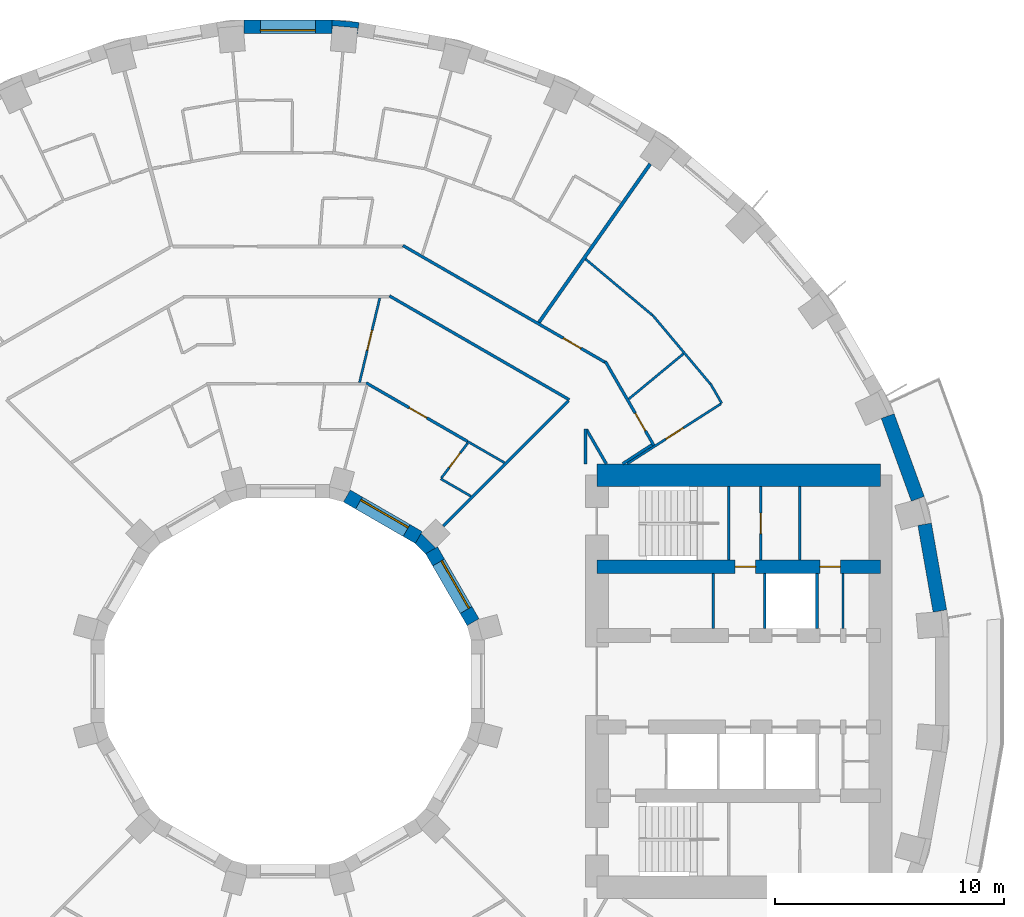
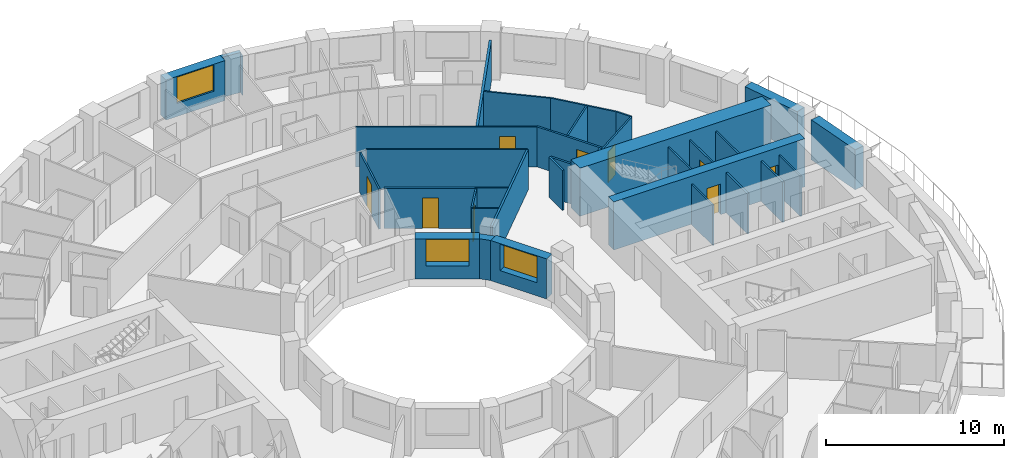
# One storey, part 11 of 14: 34 walls, 9 doors, 3 windows, 12 openings.
"""IFC4 building model written with IfcOpenShell, lengths in metres."""

from ifc_helpers import new_model, si_unit, direction, frame, frame_2d, origin, place, context, subcontext, project, spatial, polyline, rectangle, outline, extrude, material, layer, layer_set, type_object, element, fill, save


model = new_model("IFC4")

# Units and contexts
model_context = context("Model", 3, precision=1e-05, world=origin(), true_north=direction((0.0, 1.0)))
body_context = subcontext(model_context, "Body", "Model", "MODEL_VIEW")
ifc_project = project(units=[si_unit("LENGTHUNIT", "METRE"), si_unit("AREAUNIT", "SQUARE_METRE"), si_unit("VOLUMEUNIT", "CUBIC_METRE"), si_unit("PLANEANGLEUNIT", "RADIAN"), si_unit("MASSUNIT", "GRAM", prefix="KILO")], contexts=[model_context])

# Site, building, storey
site_placement = place(None, origin())
site = spatial("IfcSite", under=ifc_project, at=site_placement, CompositionType="ELEMENT")
building_placement = place(site_placement, origin())
building = spatial("IfcBuilding", under=site, at=building_placement, Name="Saqina Gate Tower", CompositionType="ELEMENT")
storey_placement = place(building_placement, frame((0.0, 0.0, 52.699951171875)))
storey = spatial("IfcBuildingStorey", under=building, at=storey_placement, Name="L14", CompositionType="ELEMENT", Elevation=52.699951171875)

# Walls
ifc_material_1 = material(Name="Brick masonry (red)", Category="masonry")
wall_type_1 = type_object("IfcWallType", Name="BRICK PIER COPING RED", PredefinedType="SOLIDWALL", material=ifc_material_1)
wall_1_placement = place(storey_placement, origin())
element("IfcWall", 1, at=wall_1_placement, inside=storey, type_object=wall_type_1, Name="Pier cap L14 column 9", PredefinedType="SOLIDWALL", context=body_context, shape_type="SweptSolid", body=[
    extrude(outline(polyline([(3.122802734375, 28.78466796875), (1.9228515625, 28.8896484375), (1.9228515625, 28.28955078125), (1.95361328125, 28.638671875), (3.04931640625, 28.54296875), (3.018798828125, 28.19384765625), (3.122802734375, 28.78466796875)])), origin(), (0.0, 0.0, 1.0), 2.75),
])
ifc_material_2 = material(Name="Gypsum board on steel studs", Category="steel")
ifc_layer_1 = layer(ifc_material_2, 0.10009765625)
ifc_layer_set_1 = layer_set([ifc_layer_1], Name="CORE PARTITION")
wall_type_2 = type_object("IfcWallType", Name="CORE PARTITION", PredefinedType="PARTITIONING", material=ifc_layer_set_1)
for number, where, z_axis, x_axis, name in (
    (2, (18.582763671875, 2.300048828125, 0.0), (0.0, 0.0, 1.0), (0.0, 1.0, 0.0), "L14-CP-E01"),
    (3, (24.260009765625, 2.300048828125, 0.0), (0.0, 0.0, 1.0), (0.0, 1.0, 0.0), "L14-CP-E04"),
):
    element("IfcWall", number, at=place(storey_placement, frame(where, z_axis=z_axis, x_axis=x_axis)), inside=storey, type_object=wall_type_2, Name=name, PredefinedType="PARTITIONING", context=body_context, shape_type="SweptSolid", body=[
        extrude(rectangle(XDim=2.39990234375, YDim=0.10009765625, at=frame_2d((1.199951171875, 0.0))), origin(), (0.0, 0.0, 1.0), 2.75),
    ])

# Wall, opening, door
wall_2_placement = place(storey_placement, frame((20.65771484375, 5.300048828125, 0.0), z_axis=(0.0, 0.0, 1.0), x_axis=(0.0, 1.0, 0.0)))
wall_2 = element("IfcWall", 4, at=wall_2_placement, inside=storey, type_object=wall_type_2, Name="L14-CP-E12", PredefinedType="PARTITIONING", context=body_context, shape_type="SweptSolid", body=[
    extrude(rectangle(XDim=3.199951171875, YDim=0.10009765625, at=frame_2d((1.60009765625, 0.0))), origin(), (0.0, 0.0, 1.0), 2.75),
])
opening_1_placement = place(wall_2_placement, frame((1.14990234375, 0.0, 0.0)))
opening_1 = element("IfcOpeningElement", 5, at=opening_1_placement, cuts=wall_2, Name="Opening G03-D97", PredefinedType="OPENING", context=body_context, shape_type="SweptSolid", body=[
    extrude(rectangle(XDim=0.89990234375, YDim=2.10009765625, at=frame_2d((0.449951171875, 1.050048828125))), frame((0.0, 0.06201171875, 0.0), z_axis=(0.0, -1.0, 0.0), x_axis=(1.0, 0.0, 0.0)), (0.0, 0.0, 1.0), 0.1240234375),
])
ifc_material_3 = material(Name="Steel-framed fire door leaf, EI 60", Category="steel")
door_type_1 = type_object("IfcDoorType", Name="SERVICE ROOM DOOR 900", OperationType="SINGLE_SWING_LEFT", PredefinedType="DOOR", material=ifc_material_3)
door_1_placement = place(opening_1_placement, frame((0.89990234375, 0.0, 0.0), z_axis=(0.0, 0.0, 1.0), x_axis=(-1.0, 0.0, 0.0)))
door_1 = element("IfcDoor", 6, at=door_1_placement, inside=storey, type_object=door_type_1, Name="L14-CD-E08", OperationType="SINGLE_SWING_RIGHT", OverallHeight=2.10009765625, OverallWidth=0.89990234375, PredefinedType="DOOR", context=body_context, shape_type="SweptSolid", body=[
    extrude(rectangle(XDim=0.89990234375, YDim=2.10009765625, at=frame_2d((0.449951171875, 1.050048828125))), frame((0.0, 0.02490234375, 0.0), z_axis=(0.0, -1.0, 0.0), x_axis=(1.0, 0.0, 0.0)), (0.0, 0.0, 1.0), 0.050048828125),
])
fill(opening_1, door_1)

# Wall
wall_3_placement = place(storey_placement, frame((22.360107421875, 5.300048828125, 0.0), z_axis=(0.0, 0.0, 1.0), x_axis=(0.0, 1.0, 0.0)))
element("IfcWall", 7, at=wall_3_placement, inside=storey, type_object=wall_type_2, Name="L14-CP-E13", PredefinedType="PARTITIONING", context=body_context, shape_type="SweptSolid", body=[
    extrude(rectangle(XDim=3.199951171875, YDim=0.10009765625, at=frame_2d((1.60009765625, 0.0))), origin(), (0.0, 0.0, 1.0), 2.75),
])

# Wall, opening, window
ifc_material_4 = material(Name="Brick masonry (red)", Category="masonry")
ifc_layer_2 = layer(ifc_material_4, 0.60009765625)
ifc_layer_set_2 = layer_set([ifc_layer_2], Name="FW-BRICK-RED")
wall_type_3 = type_object("IfcWallType", Name="FW-BRICK-RED", PredefinedType="SOLIDWALL", material=ifc_layer_set_2)
wall_4_placement = place(storey_placement, frame((1.9228515625, 28.589599609375, 0.0), z_axis=(0.0, 0.0, 1.0), x_axis=(-1.0, 0.0, 0.0)))
wall_4 = element("IfcWall", 8, at=wall_4_placement, inside=storey, type_object=wall_type_3, Name="Facade wall L14 facet 9", PredefinedType="SOLIDWALL", context=body_context, shape_type="SweptSolid", body=[
    extrude(rectangle(XDim=3.845703125, YDim=0.60009765625, at=frame_2d((1.9228515625, 0.0))), origin(), (0.0, 0.0, 1.0), 2.75),
])
opening_2_placement = place(wall_4_placement, frame((0.722900390625, 0.0, 0.89990234375)))
opening_2 = element("IfcOpeningElement", 9, at=opening_2_placement, cuts=wall_4, Name="Opening G03-W07", PredefinedType="OPENING", context=body_context, shape_type="SweptSolid", body=[
    extrude(rectangle(XDim=2.39990234375, YDim=1.800048828125, at=frame_2d((1.199951171875, 0.89990234375))), frame((0.0, 0.31201171875, 0.0), z_axis=(0.0, -1.0, 0.0), x_axis=(1.0, 0.0, 0.0)), (0.0, 0.0, 1.0), 0.6240234375),
])
ifc_material_5 = material(Name="Aluminium glazing", Category="aluminium")
window_type_1 = type_object("IfcWindowType", Name="WN-A", PartitioningType="SINGLE_PANEL", PredefinedType="WINDOW", material=ifc_material_5)
window_1_placement = place(opening_2_placement, origin())
window_1 = element("IfcWindow", 10, at=window_1_placement, inside=storey, type_object=window_type_1, Name="Window L14 facet 9", OverallHeight=1.800048828125, OverallWidth=2.39990234375, PartitioningType="SINGLE_PANEL", PredefinedType="WINDOW", context=body_context, shape_type="SweptSolid", body=[
    extrude(rectangle(XDim=2.39990234375, YDim=1.800048828125, at=frame_2d((1.199951171875, 0.89990234375))), frame((0.0, 0.179931640625, 0.0), z_axis=(0.0, -1.0, 0.0), x_axis=(1.0, 0.0, 0.0)), (0.0, 0.0, 1.0), 0.06005859375),
])
fill(opening_2, window_1)

# Walls
ifc_material_6 = material(Name="Glazed ceramic tile", Category="ceramic")
ifc_layer_3 = layer(ifc_material_6, 0.60009765625)
ifc_layer_set_3 = layer_set([ifc_layer_3], Name="FW-TILE")
wall_type_4 = type_object("IfcWallType", Name="FW-TILE", PredefinedType="SOLIDWALL", material=ifc_layer_set_3)
wall_5_placement = place(storey_placement, frame((28.4892578125, 3.07080078125, 0.0), z_axis=(0.0, 0.0, 1.0), x_axis=(-0.173687553279, 0.984800809218, 0.0)))
element("IfcWall", 11, at=wall_5_placement, inside=storey, type_object=wall_type_4, Name="Facade wall L14 facet 1", PredefinedType="SOLIDWALL", context=body_context, shape_type="SweptSolid", body=[
    extrude(rectangle(XDim=3.845703125, YDim=0.60009765625, at=frame_2d((1.9228515625, 0.0))), origin(), (0.0, 0.0, 1.0), 2.75),
])
ifc_material_7 = material(Name="Glazed ceramic tile (white)", Category="ceramic")
ifc_layer_4 = layer(ifc_material_7, 0.60009765625)
ifc_layer_set_4 = layer_set([ifc_layer_4], Name="FW-TILE-WH")
wall_type_5 = type_object("IfcWallType", Name="FW-TILE-WH", PredefinedType="SOLIDWALL", material=ifc_layer_set_4)
wall_6_placement = place(storey_placement, frame((27.523193359375, 7.97119140625, 0.0), z_axis=(0.0, 0.0, 1.0), x_axis=(-0.342028474173, 0.939689588564, 0.0)))
element("IfcWall", 12, at=wall_6_placement, inside=storey, type_object=wall_type_5, Name="Facade wall L14 facet 2", PredefinedType="SOLIDWALL", context=body_context, shape_type="SweptSolid", body=[
    extrude(rectangle(XDim=3.845947265625, YDim=0.60009765625, at=frame_2d((1.9228515625, 0.0))), origin(), (0.0, 0.0, 1.0), 2.75),
])

# Wall, opening, window
ifc_material_8 = material(Name="Glazed ceramic tile", Category="ceramic")
ifc_layer_5 = layer(ifc_material_8, 0.60009765625)
ifc_layer_set_5 = layer_set([ifc_layer_5], Name="IW-TILE")
wall_type_6 = type_object("IfcWallType", Name="IW-TILE", PredefinedType="SOLIDWALL", material=ifc_layer_set_5)
wall_7_placement = place(storey_placement, frame((8.09423828125, 2.580322265625, 0.0), z_axis=(0.0, 0.0, 1.0), x_axis=(-0.499992569217, 0.866029693906, 0.0)))
wall_7 = element("IfcWall", 13, at=wall_7_placement, inside=storey, type_object=wall_type_6, Name="Well wall L14 facet 1", PredefinedType="SOLIDWALL", context=body_context, shape_type="SweptSolid", body=[
    extrude(rectangle(XDim=3.625, YDim=0.60009765625, at=frame_2d((1.8125, 0.0))), origin(), (0.0, 0.0, 1.0), 2.75),
])
opening_3_placement = place(wall_7_placement, frame((0.612548828125, 0.0, 0.89990234375)))
opening_3 = element("IfcOpeningElement", 14, at=opening_3_placement, cuts=wall_7, Name="Opening G03-W26", PredefinedType="OPENING", context=body_context, shape_type="SweptSolid", body=[
    extrude(rectangle(XDim=2.39990234375, YDim=1.800048828125, at=frame_2d((1.199951171875, 0.89990234375))), frame((0.0, 0.31201171875, 0.0), z_axis=(0.0, -1.0, 0.0), x_axis=(1.0, 0.0, 0.0)), (0.0, 0.0, 1.0), 0.6240234375),
])
ifc_material_9 = material(Name="Aluminium glazing", Category="aluminium")
window_type_2 = type_object("IfcWindowType", Name="WN-W", PartitioningType="SINGLE_PANEL", PredefinedType="WINDOW", material=ifc_material_9)
window_2_placement = place(opening_3_placement, origin())
window_2 = element("IfcWindow", 15, at=window_2_placement, inside=storey, type_object=window_type_2, Name="Well window L14 facet 1", OverallHeight=1.800048828125, OverallWidth=2.39990234375, PartitioningType="SINGLE_PANEL", PredefinedType="WINDOW", context=body_context, shape_type="SweptSolid", body=[
    extrude(rectangle(XDim=2.39990234375, YDim=1.800048828125, at=frame_2d((1.199951171875, 0.89990234375))), frame((0.0, -0.119873046875, 0.0), z_axis=(0.0, -1.0, 0.0), x_axis=(1.0, 0.0, 0.0)), (0.0, 0.0, 1.0), 0.06005859375),
])
fill(opening_3, window_2)

wall_8_placement = place(storey_placement, frame((5.7197265625, 6.28173828125, 0.0), z_axis=(0.0, 0.0, 1.0), x_axis=(-0.866029693906, 0.499992569217, 0.0)))
wall_8 = element("IfcWall", 16, at=wall_8_placement, inside=storey, type_object=wall_type_6, Name="Well wall L14 facet 2", PredefinedType="SOLIDWALL", context=body_context, shape_type="SweptSolid", body=[
    extrude(rectangle(XDim=3.625, YDim=0.60009765625, at=frame_2d((1.8125, 0.0))), origin(), (0.0, 0.0, 1.0), 2.75),
])
opening_4_placement = place(wall_8_placement, frame((0.612548828125, 0.0, 0.89990234375)))
opening_4 = element("IfcOpeningElement", 17, at=opening_4_placement, cuts=wall_8, Name="Opening G03-W27", PredefinedType="OPENING", context=body_context, shape_type="SweptSolid", body=[
    extrude(rectangle(XDim=2.39990234375, YDim=1.800048828125, at=frame_2d((1.199951171875, 0.89990234375))), frame((0.0, 0.31201171875, 0.0), z_axis=(0.0, -1.0, 0.0), x_axis=(1.0, 0.0, 0.0)), (0.0, 0.0, 1.0), 0.6240234375),
])
window_3_placement = place(opening_4_placement, origin())
window_3 = element("IfcWindow", 18, at=window_3_placement, inside=storey, type_object=window_type_2, Name="Well window L14 facet 2", OverallHeight=1.800048828125, OverallWidth=2.39990234375, PartitioningType="SINGLE_PANEL", PredefinedType="WINDOW", context=body_context, shape_type="SweptSolid", body=[
    extrude(rectangle(XDim=2.39990234375, YDim=1.800048828125, at=frame_2d((1.199951171875, 0.89990234375))), frame((0.0, -0.119873046875, 0.0), z_axis=(0.0, -1.0, 0.0), x_axis=(1.0, 0.0, 0.0)), (0.0, 0.0, 1.0), 0.06005859375),
])
fill(opening_4, window_3)

# Walls
ifc_material_10 = material(Name="Gypsum board on steel studs, 100 mm", Category="steel")
ifc_layer_6 = layer(ifc_material_10, 0.10009765625)
ifc_layer_set_6 = layer_set([ifc_layer_6], Name="PARTITION 100")
wall_type_7 = type_object("IfcWallType", Name="PARTITION 100", PredefinedType="PARTITIONING", material=ifc_layer_set_6)
wall_9_placement = place(storey_placement, frame((18.468017578125, 12.9931640625, 0.0), z_axis=(0.0, 0.0, 1.0), x_axis=(0.499060839642, -0.866566949713, 0.0)))
element("IfcWall", 19, at=wall_9_placement, inside=storey, type_object=wall_type_7, Name="PARTITION PW3-20", PredefinedType="PARTITIONING", context=body_context, shape_type="SweptSolid", body=[
    extrude(rectangle(XDim=0.97998046875, YDim=0.10009765625, at=frame_2d((0.489990234375, 0.0))), origin(), (0.0, 0.0, 1.0), 2.75),
])
wall_10_placement = place(storey_placement, frame((15.930419921875, 16.001953125, 0.0), z_axis=(0.0, 0.0, 1.0), x_axis=(0.642925836876, -0.76592843548, 0.0)))
element("IfcWall", 20, at=wall_10_placement, inside=storey, type_object=wall_type_7, Name="PARTITION PW3-31", PredefinedType="PARTITIONING", context=body_context, shape_type="SweptSolid", body=[
    extrude(rectangle(XDim=3.93603515625, YDim=0.10009765625, at=frame_2d((1.968017578125, 0.0))), origin(), (0.0, 0.0, 1.0), 2.75),
])
wall_11_placement = place(storey_placement, frame((13.00634765625, 18.44482421875, 0.0), z_axis=(0.0, 0.0, 1.0), x_axis=(0.765937067023, -0.642915553832, 0.0)))
element("IfcWall", 21, at=wall_11_placement, inside=storey, type_object=wall_type_7, Name="PARTITION PW3-40", PredefinedType="PARTITIONING", context=body_context, shape_type="SweptSolid", body=[
    extrude(rectangle(XDim=3.810302734375, YDim=0.10009765625, at=frame_2d((1.9052734375, 0.0))), origin(), (0.0, 0.0, 1.0), 2.75),
])
wall_12_placement = place(storey_placement, frame((6.680908203125, 8.843994140625, 0.0), z_axis=(0.0, 0.0, 1.0), x_axis=(0.866340515316, -0.499453813202, 0.0)))
element("IfcWall", 22, at=wall_12_placement, inside=storey, type_object=wall_type_7, Name="PARTITION PW3-48", PredefinedType="PARTITIONING", context=body_context, shape_type="SweptSolid", body=[
    extrude(rectangle(XDim=1.521240234375, YDim=0.10009765625, at=frame_2d((0.7607421875, 0.0))), origin(), (0.0, 0.0, 1.0), 2.75),
])
wall_13_placement = place(storey_placement, frame((7.852783203125, 10.47802734375, 0.0), z_axis=(0.0, 0.0, 1.0), x_axis=(0.866004081989, -0.500036928615, 0.0)))
element("IfcWall", 23, at=wall_13_placement, inside=storey, type_object=wall_type_7, Name="PARTITION PW3-49", PredefinedType="PARTITIONING", context=body_context, shape_type="SweptSolid", body=[
    extrude(rectangle(XDim=1.859130859375, YDim=0.10009765625, at=frame_2d((0.9296875, 0.0))), origin(), (0.0, 0.0, 1.0), 2.75),
])

# Wall, opening, door
wall_14_placement = place(storey_placement, frame((14.830078125, 9.5, 0.0), z_axis=(0.0, 0.0, 1.0), x_axis=(0.842016302485, 0.539452079752, 0.0)))
wall_14 = element("IfcWall", 24, at=wall_14_placement, inside=storey, type_object=wall_type_7, Name="PARTITION PW3-89", PredefinedType="PARTITIONING", context=body_context, shape_type="SweptSolid", body=[
    extrude(rectangle(XDim=4.85107421875, YDim=0.10009765625, at=frame_2d((2.425537109375, 0.0))), origin(), (0.0, 0.0, 1.0), 2.75),
])
opening_5_placement = place(wall_14_placement, frame((2.000732421875, 0.0, 0.0)))
opening_5 = element("IfcOpeningElement", 25, at=opening_5_placement, cuts=wall_14, Name="Opening G03-D01", PredefinedType="OPENING", context=body_context, shape_type="SweptSolid", body=[
    extrude(rectangle(XDim=0.89990234375, YDim=2.10009765625, at=frame_2d((0.449951171875, 1.050048828125))), frame((0.0, 0.06201171875, 0.0), z_axis=(0.0, -1.0, 0.0), x_axis=(1.0, 0.0, 0.0)), (0.0, 0.0, 1.0), 0.1240234375),
])
ifc_material_11 = material(Name="Timber door leaf, 900 mm", Category="wood")
door_type_2 = type_object("IfcDoorType", Name="DOOR 900 TIMBER", OperationType="SINGLE_SWING_LEFT", PredefinedType="DOOR", material=ifc_material_11)
door_2_placement = place(opening_5_placement, frame((0.89990234375, 0.0, 0.0), z_axis=(0.0, 0.0, 1.0), x_axis=(-1.0, 0.0, 0.0)))
door_2 = element("IfcDoor", 26, at=door_2_placement, inside=storey, type_object=door_type_2, Name="DOOR G03-D01", OperationType="SINGLE_SWING_RIGHT", OverallHeight=2.10009765625, OverallWidth=0.89990234375, PredefinedType="DOOR", context=body_context, shape_type="SweptSolid", body=[
    extrude(rectangle(XDim=0.89990234375, YDim=2.10009765625, at=frame_2d((0.449951171875, 1.050048828125))), frame((0.0, 0.02490234375, 0.0), z_axis=(0.0, -1.0, 0.0), x_axis=(1.0, 0.0, 0.0)), (0.0, 0.0, 1.0), 0.050048828125),
])
fill(opening_5, door_2)

# Wall
wall_15_placement = place(storey_placement, frame((14.89306640625, 12.327880859375, 0.0), z_axis=(0.0, 0.0, 1.0), x_axis=(0.770464868695, 0.63748245945, 0.0)))
element("IfcWall", 27, at=wall_15_placement, inside=storey, type_object=wall_type_7, Name="PARTITION PW3-91", PredefinedType="PARTITIONING", context=body_context, shape_type="SweptSolid", body=[
    extrude(rectangle(XDim=3.106201171875, YDim=0.10009765625, at=frame_2d((1.55322265625, 0.0))), origin(), (0.0, 0.0, 1.0), 2.75),
])

# Wall, opening, door
wall_16_placement = place(storey_placement, frame((6.711181640625, 8.8837890625, 0.0), z_axis=(0.0, 0.0, 1.0), x_axis=(0.602602666336, 0.798041368931, 0.0)))
wall_16 = element("IfcWall", 28, at=wall_16_placement, inside=storey, type_object=wall_type_7, Name="PARTITION PW3-105", PredefinedType="PARTITIONING", context=body_context, shape_type="SweptSolid", body=[
    extrude(rectangle(XDim=1.90380859375, YDim=0.10009765625, at=frame_2d((0.951904296875, 0.0))), origin(), (0.0, 0.0, 1.0), 2.75),
])
opening_6_placement = place(wall_16_placement, frame((0.55810546875, 0.0, 0.0)))
opening_6 = element("IfcOpeningElement", 29, at=opening_6_placement, cuts=wall_16, Name="Opening G03-D04", PredefinedType="OPENING", context=body_context, shape_type="SweptSolid", body=[
    extrude(rectangle(XDim=0.800048828125, YDim=2.10009765625, at=frame_2d((0.39990234375, 1.050048828125))), frame((0.0, 0.06201171875, 0.0), z_axis=(0.0, -1.0, 0.0), x_axis=(1.0, 0.0, 0.0)), (0.0, 0.0, 1.0), 0.1240234375),
])
ifc_material_12 = material(Name="Timber door leaf, 800 mm", Category="wood")
door_type_3 = type_object("IfcDoorType", Name="DOOR 800 TIMBER", OperationType="SINGLE_SWING_LEFT", PredefinedType="DOOR", material=ifc_material_12)
door_3_placement = place(opening_6_placement, origin())
door_3 = element("IfcDoor", 30, at=door_3_placement, inside=storey, type_object=door_type_3, Name="DOOR G03-D04", OperationType="SINGLE_SWING_RIGHT", OverallHeight=2.10009765625, OverallWidth=0.800048828125, PredefinedType="DOOR", context=body_context, shape_type="SweptSolid", body=[
    extrude(rectangle(XDim=0.800048828125, YDim=2.10009765625, at=frame_2d((0.39990234375, 1.050048828125))), frame((0.0, 0.02490234375, 0.0), z_axis=(0.0, -1.0, 0.0), x_axis=(1.0, 0.0, 0.0)), (0.0, 0.0, 1.0), 0.050048828125),
])
fill(opening_6, door_3)

wall_17_placement = place(storey_placement, frame((3.132568359375, 13.048583984375, 0.0), z_axis=(0.0, 0.0, 1.0), x_axis=(0.233368086801, 0.972388469729, 0.0)))
wall_17 = element("IfcWall", 31, at=wall_17_placement, inside=storey, type_object=wall_type_7, Name="PARTITION PW3-121", PredefinedType="PARTITIONING", context=body_context, shape_type="SweptSolid", body=[
    extrude(rectangle(XDim=3.79541015625, YDim=0.10009765625, at=frame_2d((1.897705078125, 0.0))), origin(), (0.0, 0.0, 1.0), 2.75),
])
opening_7_placement = place(wall_17_placement, frame((1.4541015625, 0.0, 0.0)))
opening_7 = element("IfcOpeningElement", 32, at=opening_7_placement, cuts=wall_17, Name="Opening G03-D11", PredefinedType="OPENING", context=body_context, shape_type="SweptSolid", body=[
    extrude(rectangle(XDim=0.89990234375, YDim=2.10009765625, at=frame_2d((0.449951171875, 1.050048828125))), frame((0.0, 0.06201171875, 0.0), z_axis=(0.0, -1.0, 0.0), x_axis=(1.0, 0.0, 0.0)), (0.0, 0.0, 1.0), 0.1240234375),
])
door_4_placement = place(opening_7_placement, origin())
door_4 = element("IfcDoor", 33, at=door_4_placement, inside=storey, type_object=door_type_2, Name="DOOR G03-D11", OperationType="SINGLE_SWING_RIGHT", OverallHeight=2.10009765625, OverallWidth=0.89990234375, PredefinedType="DOOR", context=body_context, shape_type="SweptSolid", body=[
    extrude(rectangle(XDim=0.89990234375, YDim=2.10009765625, at=frame_2d((0.449951171875, 1.050048828125))), frame((0.0, 0.02490234375, 0.0), z_axis=(0.0, -1.0, 0.0), x_axis=(1.0, 0.0, 0.0)), (0.0, 0.0, 1.0), 0.050048828125),
])
fill(opening_7, door_4)

# Wall
ifc_material_13 = material(Name="Gypsum board on steel studs, 125 mm, fire rated", Category="steel")
ifc_layer_7 = layer(ifc_material_13, 0.125)
ifc_layer_set_7 = layer_set([ifc_layer_7], Name="PARTITION EI 30 125")
wall_type_8 = type_object("IfcWallType", Name="PARTITION EI 30 125", PredefinedType="PARTITIONING", material=ifc_layer_set_7)
wall_18_placement = place(storey_placement, frame((13.044921875, 11.005126953125, 0.0), z_axis=(0.0, 0.0, 1.0), x_axis=(0.500066958712, -0.865986741702, 0.0)))
element("IfcWall", 34, at=wall_18_placement, inside=storey, type_object=wall_type_8, Name="PARTITION PW1-03", PredefinedType="PARTITIONING", context=body_context, shape_type="SweptSolid", body=[
    extrude(rectangle(XDim=1.738037109375, YDim=0.125, at=frame_2d((0.869140625, 0.0))), origin(), (0.0, 0.0, 1.0), 2.75),
])

# Wall, opening, door
wall_19_placement = place(storey_placement, frame((13.872802734375, 13.971435546875, 0.0), z_axis=(0.0, 0.0, 1.0), x_axis=(0.500056722401, -0.865992652614, 0.0)))
wall_19 = element("IfcWall", 35, at=wall_19_placement, inside=storey, type_object=wall_type_8, Name="PARTITION PW1-04", PredefinedType="PARTITIONING", context=body_context, shape_type="SweptSolid", body=[
    extrude(rectangle(XDim=4.23583984375, YDim=0.125, at=frame_2d((2.117919921875, 0.0))), origin(), (0.0, 0.0, 1.0), 2.75),
])
opening_8_placement = place(wall_19_placement, frame((2.60595703125, 0.0, 0.0)))
opening_8 = element("IfcOpeningElement", 36, at=opening_8_placement, cuts=wall_19, Name="Opening G03-D02", PredefinedType="OPENING", context=body_context, shape_type="SweptSolid", body=[
    extrude(rectangle(XDim=0.89990234375, YDim=2.10009765625, at=frame_2d((0.449951171875, 1.050048828125))), frame((0.0, 0.074462890625, 0.0), z_axis=(0.0, -1.0, 0.0), x_axis=(1.0, 0.0, 0.0)), (0.0, 0.0, 1.0), 0.14892578125),
])
ifc_material_14 = material(Name="Fire door leaf EI 30, 900 mm")
door_type_4 = type_object("IfcDoorType", Name="DOOR 900 EI 30", OperationType="SINGLE_SWING_LEFT", PredefinedType="DOOR", material=ifc_material_14)
door_5_placement = place(opening_8_placement, origin())
door_5 = element("IfcDoor", 37, at=door_5_placement, inside=storey, type_object=door_type_4, Name="DOOR G03-D02", OperationType="SINGLE_SWING_RIGHT", OverallHeight=2.10009765625, OverallWidth=0.89990234375, PredefinedType="DOOR", context=body_context, shape_type="SweptSolid", body=[
    extrude(rectangle(XDim=0.89990234375, YDim=2.10009765625, at=frame_2d((0.449951171875, 1.050048828125))), frame((0.0, 0.02490234375, 0.0), z_axis=(0.0, -1.0, 0.0), x_axis=(1.0, 0.0, 0.0)), (0.0, 0.0, 1.0), 0.050048828125),
])
fill(opening_8, door_5)

wall_20_placement = place(storey_placement, frame((3.42041015625, 13.0361328125, 0.0), z_axis=(0.0, 0.0, 1.0), x_axis=(0.86610376991, -0.499864241317, 0.0)))
wall_20 = element("IfcWall", 38, at=wall_20_placement, inside=storey, type_object=wall_type_8, Name="PARTITION PW1-15", PredefinedType="PARTITIONING", context=body_context, shape_type="SweptSolid", body=[
    extrude(rectangle(XDim=5.11767578125, YDim=0.125, at=frame_2d((2.558837890625, 0.0))), origin(), (0.0, 0.0, 1.0), 2.75),
])
opening_9_placement = place(wall_20_placement, frame((2.169921875, 0.0, 0.0)))
opening_9 = element("IfcOpeningElement", 39, at=opening_9_placement, cuts=wall_20, Name="Opening G03-D07", PredefinedType="OPENING", context=body_context, shape_type="SweptSolid", body=[
    extrude(rectangle(XDim=0.89990234375, YDim=2.10009765625, at=frame_2d((0.449951171875, 1.050048828125))), frame((0.0, 0.074462890625, 0.0), z_axis=(0.0, -1.0, 0.0), x_axis=(1.0, 0.0, 0.0)), (0.0, 0.0, 1.0), 0.14892578125),
])
door_6_placement = place(opening_9_placement, origin())
door_6 = element("IfcDoor", 40, at=door_6_placement, inside=storey, type_object=door_type_4, Name="DOOR G03-D07", OperationType="SINGLE_SWING_RIGHT", OverallHeight=2.10009765625, OverallWidth=0.89990234375, PredefinedType="DOOR", context=body_context, shape_type="SweptSolid", body=[
    extrude(rectangle(XDim=0.89990234375, YDim=2.10009765625, at=frame_2d((0.449951171875, 1.050048828125))), frame((0.0, 0.02490234375, 0.0), z_axis=(0.0, -1.0, 0.0), x_axis=(1.0, 0.0, 0.0)), (0.0, 0.0, 1.0), 0.050048828125),
])
fill(opening_9, door_6)

# Wall
wall_21_placement = place(storey_placement, frame((4.439453125, 16.836181640625, 0.0), z_axis=(0.0, 0.0, 1.0), x_axis=(0.865982621983, -0.500074092933, 0.0)))
element("IfcWall", 41, at=wall_21_placement, inside=storey, type_object=wall_type_8, Name="PARTITION PW1-16", PredefinedType="PARTITIONING", context=body_context, shape_type="SweptSolid", body=[
    extrude(rectangle(XDim=9.07470703125, YDim=0.125, at=frame_2d((4.537353515625, 0.0))), origin(), (0.0, 0.0, 1.0), 2.75),
])

# Wall, opening, door
wall_22_placement = place(storey_placement, frame((5.028564453125, 19.0361328125, 0.0), z_axis=(0.0, 0.0, 1.0), x_axis=(0.866024825845, -0.50000100102, 0.0)))
wall_22 = element("IfcWall", 42, at=wall_22_placement, inside=storey, type_object=wall_type_8, Name="PARTITION PW1-17", PredefinedType="PARTITIONING", context=body_context, shape_type="SweptSolid", body=[
    extrude(rectangle(XDim=10.19189453125, YDim=0.125, at=frame_2d((5.095947265625, 0.0))), origin(), (0.0, 0.0, 1.0), 2.75),
])
opening_10_placement = place(wall_22_placement, frame((8.090087890625, 0.0, 0.0)))
opening_10 = element("IfcOpeningElement", 43, at=opening_10_placement, cuts=wall_22, Name="Opening G03-D03", PredefinedType="OPENING", context=body_context, shape_type="SweptSolid", body=[
    extrude(rectangle(XDim=0.89990234375, YDim=2.10009765625, at=frame_2d((0.449951171875, 1.050048828125))), frame((0.0, 0.074462890625, 0.0), z_axis=(0.0, -1.0, 0.0), x_axis=(1.0, 0.0, 0.0)), (0.0, 0.0, 1.0), 0.14892578125),
])
door_7_placement = place(opening_10_placement, origin())
door_7 = element("IfcDoor", 44, at=door_7_placement, inside=storey, type_object=door_type_4, Name="DOOR G03-D03", OperationType="SINGLE_SWING_RIGHT", OverallHeight=2.10009765625, OverallWidth=0.89990234375, PredefinedType="DOOR", context=body_context, shape_type="SweptSolid", body=[
    extrude(rectangle(XDim=0.89990234375, YDim=2.10009765625, at=frame_2d((0.449951171875, 1.050048828125))), frame((0.0, 0.02490234375, 0.0), z_axis=(0.0, -1.0, 0.0), x_axis=(1.0, 0.0, 0.0)), (0.0, 0.0, 1.0), 0.050048828125),
])
fill(opening_10, door_7)

# Walls
wall_23_placement = place(storey_placement, frame((14.62890625, 9.5, 0.0), z_axis=(0.0, 0.0, 1.0), x_axis=(0.83882853689, 0.544395706908, 0.0)))
element("IfcWall", 45, at=wall_23_placement, inside=storey, type_object=wall_type_8, Name="PARTITION PW1-43", PredefinedType="PARTITIONING", context=body_context, shape_type="SweptSolid", body=[
    extrude(rectangle(XDim=1.520751953125, YDim=0.125, at=frame_2d((0.76025390625, 0.0))), origin(), (0.0, 0.0, 1.0), 2.75),
])
wall_24_placement = place(storey_placement, frame((6.78271484375, 6.78271484375, 0.0), z_axis=(0.0, 0.0, 1.0), x_axis=(0.707106781187, 0.707106781187, 0.0)))
element("IfcWall", 46, at=wall_24_placement, inside=storey, type_object=wall_type_8, Name="PARTITION PW1-48", PredefinedType="PARTITIONING", context=body_context, shape_type="SweptSolid", body=[
    extrude(rectangle(XDim=7.737548828125, YDim=0.125, at=frame_2d((3.86865234375, 0.0))), origin(), (0.0, 0.0, 1.0), 2.75),
])
wall_25_placement = place(storey_placement, frame((13.0, 9.5, 0.0), z_axis=(0.0, 0.0, 1.0), x_axis=(0.0, 1.0, 0.0)))
element("IfcWall", 47, at=wall_25_placement, inside=storey, type_object=wall_type_8, Name="PARTITION PW1-57", PredefinedType="PARTITIONING", context=body_context, shape_type="SweptSolid", body=[
    extrude(rectangle(XDim=1.5205078125, YDim=0.125, at=frame_2d((0.76025390625, 0.0))), origin(), (0.0, 0.0, 1.0), 2.75),
])
ifc_material_15 = material(Name="Gypsum board on steel studs, 150 mm, fire rated", Category="steel")
ifc_layer_8 = layer(ifc_material_15, 0.14990234375)
ifc_layer_set_8 = layer_set([ifc_layer_8], Name="PARTITION EI 60 150")
wall_type_9 = type_object("IfcWallType", Name="PARTITION EI 60 150", PredefinedType="PARTITIONING", material=ifc_layer_set_8)
wall_26_placement = place(storey_placement, frame((10.97216796875, 15.677001953125, 0.0), z_axis=(0.0, 0.0, 1.0), x_axis=(0.574550995915, 0.818468785656, 0.0)))
element("IfcWall", 48, at=wall_26_placement, inside=storey, type_object=wall_type_9, Name="PARTITION PW2-02", PredefinedType="PARTITIONING", context=body_context, shape_type="SweptSolid", body=[
    extrude(rectangle(XDim=8.454833984375, YDim=0.14990234375, at=frame_2d((4.2275390625, 0.0))), origin(), (0.0, 0.0, 1.0), 2.75),
])
ifc_material_16 = material(Name="Autoclaved aerated concrete block", Category="concrete")
ifc_layer_9 = layer(ifc_material_16, 0.1201171875)
ifc_layer_set_9 = layer_set([ifc_layer_9], Name="SHAFT PARTITION")
wall_type_10 = type_object("IfcWallType", Name="SHAFT PARTITION", PredefinedType="PARTITIONING", material=ifc_layer_set_9)
for number, where, z_axis, x_axis, name in (
    (49, (20.840087890625, 2.300048828125, 0.0), (0.0, 0.0, 1.0), (0.0, 1.0, 0.0), "L14-CP-E02"),
    (50, (23.1201171875, 2.300048828125, 0.0), (0.0, 0.0, 1.0), (0.0, 1.0, 0.0), "L14-CP-E03"),
):
    element("IfcWall", number, at=place(storey_placement, frame(where, z_axis=z_axis, x_axis=x_axis)), inside=storey, type_object=wall_type_10, Name=name, PredefinedType="PARTITIONING", context=body_context, shape_type="SweptSolid", body=[
        extrude(rectangle(XDim=2.39990234375, YDim=0.1201171875, at=frame_2d((1.199951171875, 0.0))), origin(), (0.0, 0.0, 1.0), 2.75),
    ])
ifc_material_17 = material(Name="Autoclaved aerated concrete block", Category="concrete")
ifc_layer_10 = layer(ifc_material_17, 0.10009765625)
ifc_layer_set_10 = layer_set([ifc_layer_10], Name="STAIR ENCLOSURE WALL")
wall_type_11 = type_object("IfcWallType", Name="STAIR ENCLOSURE WALL", PredefinedType="PARTITIONING", material=ifc_layer_set_10)
wall_27_placement = place(storey_placement, frame((19.27001953125, 5.300048828125, 0.0), z_axis=(0.0, 0.0, 1.0), x_axis=(0.0, 1.0, 0.0)))
element("IfcWall", 51, at=wall_27_placement, inside=storey, type_object=wall_type_11, Name="L14-CP-E11", PredefinedType="PARTITIONING", context=body_context, shape_type="SweptSolid", body=[
    extrude(rectangle(XDim=3.199951171875, YDim=0.10009765625, at=frame_2d((1.60009765625, 0.0))), origin(), (0.0, 0.0, 1.0), 2.75),
])

# Wall, openings, doors
ifc_material_18 = material(Name="Concrete C70/85", Category="concrete")
ifc_layer_11 = layer(ifc_material_18, 0.60009765625)
ifc_layer_set_11 = layer_set([ifc_layer_11], Name="Concrete C70/85")
wall_type_12 = type_object("IfcWallType", Name="STR-CORE WALL-A-I", PredefinedType="SHEAR", material=ifc_layer_set_11)
wall_28_placement = place(storey_placement, frame((13.5, 5.0, 0.0), z_axis=(0.0, 0.0, 1.0), x_axis=(1.0, 0.0, 0.0)))
wall_28 = element("IfcWall", 52, at=wall_28_placement, inside=storey, type_object=wall_type_12, Name="CORE WALL L14 E-X1", PredefinedType="SHEAR", context=body_context, shape_type="SweptSolid", body=[
    extrude(rectangle(XDim=12.39990234375, YDim=0.60009765625, at=frame_2d((6.199951171875, 0.0))), origin(), (0.0, 0.0, 1.0), 3.300048828125),
])
opening_11_placement = place(wall_28_placement, frame((6.038818359375, 0.0, 0.0)))
opening_11 = element("IfcOpeningElement", 53, at=opening_11_placement, cuts=wall_28, Name="Opening G03-D98", PredefinedType="OPENING", context=body_context, shape_type="SweptSolid", body=[
    extrude(rectangle(XDim=0.89990234375, YDim=2.10009765625, at=frame_2d((0.449951171875, 1.050048828125))), frame((0.0, 0.31201171875, 0.0), z_axis=(0.0, -1.0, 0.0), x_axis=(1.0, 0.0, 0.0)), (0.0, 0.0, 1.0), 0.6240234375),
])
opening_12_placement = place(wall_28_placement, frame((9.739990234375, 0.0, 0.0)))
opening_12 = element("IfcOpeningElement", 54, at=opening_12_placement, cuts=wall_28, Name="Opening G03-D99", PredefinedType="OPENING", context=body_context, shape_type="SweptSolid", body=[
    extrude(rectangle(XDim=0.89990234375, YDim=2.10009765625, at=frame_2d((0.449951171875, 1.050048828125))), frame((0.0, 0.31201171875, 0.0), z_axis=(0.0, -1.0, 0.0), x_axis=(1.0, 0.0, 0.0)), (0.0, 0.0, 1.0), 0.6240234375),
])
door_8_placement = place(opening_11_placement, frame((0.89990234375, 0.0, 0.0), z_axis=(0.0, 0.0, 1.0), x_axis=(-1.0, 0.0, 0.0)))
door_8 = element("IfcDoor", 55, at=door_8_placement, inside=storey, type_object=door_type_1, Name="L14-CD-E09", OperationType="SINGLE_SWING_LEFT", OverallHeight=2.10009765625, OverallWidth=0.89990234375, PredefinedType="DOOR", context=body_context, shape_type="SweptSolid", body=[
    extrude(rectangle(XDim=0.89990234375, YDim=2.10009765625, at=frame_2d((0.449951171875, 1.050048828125))), frame((0.0, 0.02490234375, 0.0), z_axis=(0.0, -1.0, 0.0), x_axis=(1.0, 0.0, 0.0)), (0.0, 0.0, 1.0), 0.050048828125),
])
fill(opening_11, door_8)
door_9_placement = place(opening_12_placement, origin())
door_9 = element("IfcDoor", 56, at=door_9_placement, inside=storey, type_object=door_type_1, Name="L14-CD-E10", OperationType="SINGLE_SWING_RIGHT", OverallHeight=2.10009765625, OverallWidth=0.89990234375, PredefinedType="DOOR", context=body_context, shape_type="SweptSolid", body=[
    extrude(rectangle(XDim=0.89990234375, YDim=2.10009765625, at=frame_2d((0.449951171875, 1.050048828125))), frame((0.0, 0.02490234375, 0.0), z_axis=(0.0, -1.0, 0.0), x_axis=(1.0, 0.0, 0.0)), (0.0, 0.0, 1.0), 0.050048828125),
])
fill(opening_12, door_9)

# Walls
ifc_material_19 = material(Name="Concrete C70/85", Category="concrete")
ifc_layer_12 = layer(ifc_material_19, 1.0)
ifc_layer_set_12 = layer_set([ifc_layer_12], Name="Concrete C70/85")
wall_type_13 = type_object("IfcWallType", Name="STR-CORE WALL-A-O", PredefinedType="SHEAR", material=ifc_layer_set_12)
wall_29_placement = place(storey_placement, frame((13.5, 9.0, 0.0), z_axis=(0.0, 0.0, 1.0), x_axis=(1.0, 0.0, 0.0)))
element("IfcWall", 57, at=wall_29_placement, inside=storey, type_object=wall_type_13, Name="CORE WALL L14 E-NE", PredefinedType="SHEAR", context=body_context, shape_type="SweptSolid", body=[
    extrude(rectangle(XDim=12.39990234375, YDim=1.0, at=frame_2d((6.199951171875, 0.0))), origin(), (0.0, 0.0, 1.0), 3.300048828125),
])
ifc_material_20 = material(Name="Glazed ceramic tile", Category="ceramic")
wall_type_14 = type_object("IfcWallType", Name="TILE PIER COPING", PredefinedType="SOLIDWALL", material=ifc_material_20)
wall_30_placement = place(storey_placement, origin())
element("IfcWall", 58, at=wall_30_placement, inside=storey, type_object=wall_type_14, Name="Well pier cap L14 column 2", PredefinedType="SOLIDWALL", context=body_context, shape_type="SweptSolid", body=[
    extrude(outline(polyline([(5.821044921875, 6.45751953125), (5.569580078125, 6.02197265625), (6.02197265625, 5.569580078125), (6.45751953125, 5.821044921875), (5.821044921875, 6.45751953125)])), origin(), (0.0, 0.0, 1.0), 2.75),
])

save(model, "model.ifc")
